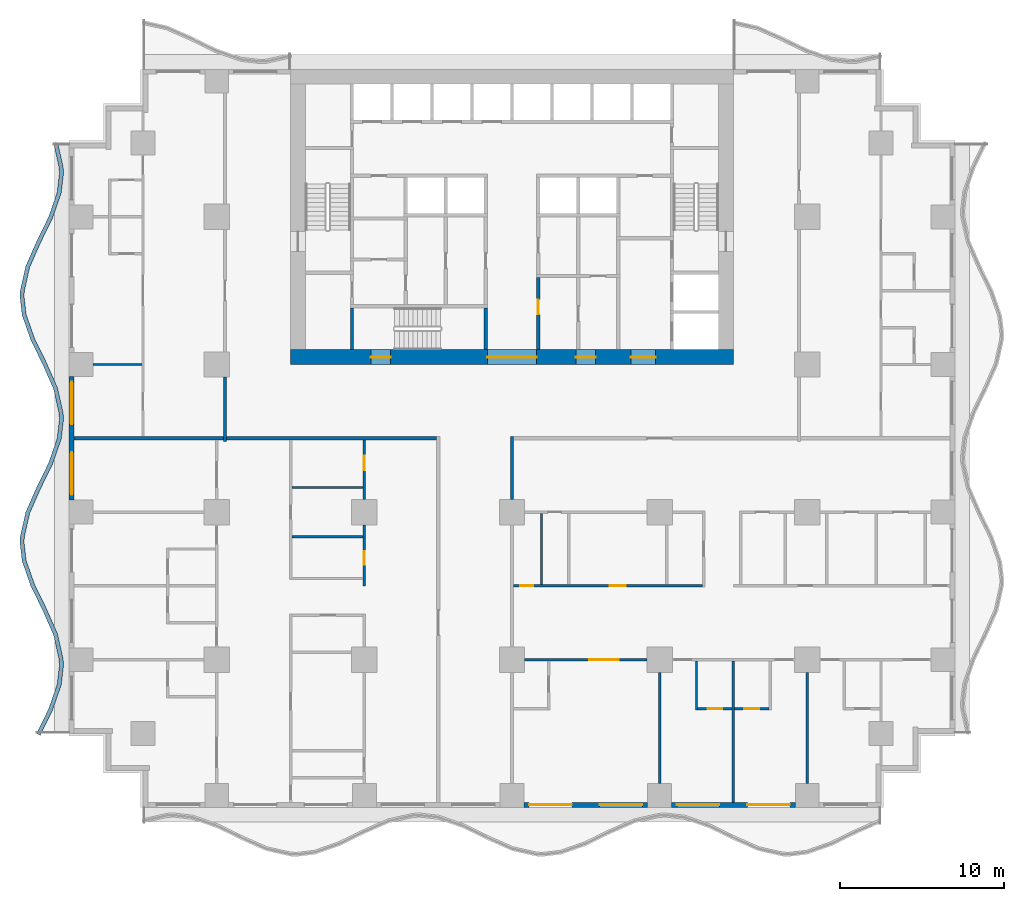
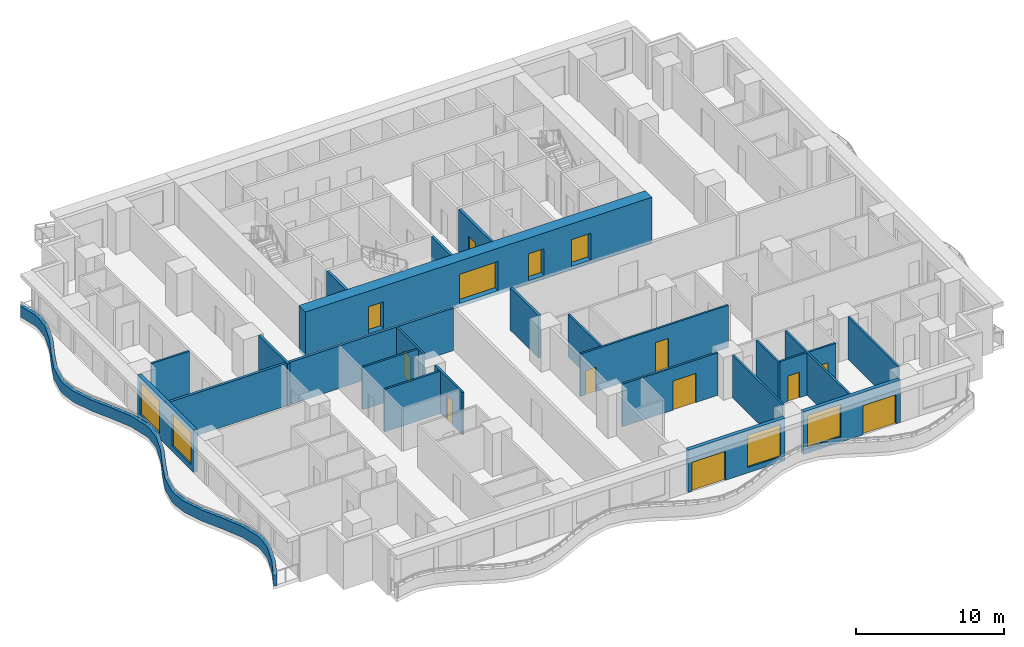
# One storey, part 3 of 14: 26 walls, 14 doors, 4 windows, 18 openings.
"""IFC4 building model written with IfcOpenShell, lengths in metres."""

from ifc_helpers import new_model, si_unit, direction, frame, frame_2d, origin, place, context, subcontext, project, spatial, polyline, rectangle, outline, extrude, material, layer, layer_set, type_object, element, fill, save


model = new_model("IFC4")

# Units and contexts
model_context = context("Model", 3, precision=1e-05, world=origin(), true_north=direction((0.0, 1.0)))
body_context = subcontext(model_context, "Body", "Model", "MODEL_VIEW")
ifc_project = project(units=[si_unit("LENGTHUNIT", "METRE"), si_unit("AREAUNIT", "SQUARE_METRE"), si_unit("VOLUMEUNIT", "CUBIC_METRE"), si_unit("PLANEANGLEUNIT", "RADIAN"), si_unit("MASSUNIT", "GRAM", prefix="KILO")], contexts=[model_context])

# Site, building, storey
site_placement = place(None, origin())
site = spatial("IfcSite", under=ifc_project, at=site_placement, CompositionType="ELEMENT")
building_placement = place(site_placement, origin())
building = spatial("IfcBuilding", under=site, at=building_placement, Name="Orbiselva Terraces", CompositionType="ELEMENT")
storey_placement = place(building_placement, frame((0.0, 0.0, 34.0)))
storey = spatial("IfcBuildingStorey", under=building, at=storey_placement, Name="L08", CompositionType="ELEMENT", Elevation=34.0)

# Wall, openings, doors
ifc_material_1 = material(Name="Concrete C80/95", Category="concrete")
ifc_layer_1 = layer(ifc_material_1, 0.9)
ifc_layer_set_1 = layer_set([ifc_layer_1], Name="Concrete C80/95")
wall_type_1 = type_object("IfcWallType", Name="CORE WALL 900", PredefinedType="SHEAR", material=ifc_layer_set_1)
wall_1_placement = place(storey_placement, frame((-13.5, 4.95, -0.3), z_axis=(0.0, 0.0, 1.0), x_axis=(1.0, 0.0, 0.0)))
wall_1 = element("IfcWall", 1, at=wall_1_placement, inside=storey, type_object=wall_type_1, Name="Core wall L08 south", PredefinedType="SHEAR", context=body_context, shape_type="SweptSolid", body=[
    extrude(rectangle(XDim=27.0, YDim=0.9, at=frame_2d((13.5, 0.0))), origin(), (0.0, 0.0, 1.0), 3.8),
])
opening_1_placement = place(wall_1_placement, frame((12.0, 0.0, 0.3)))
opening_1 = element("IfcOpeningElement", 2, at=opening_1_placement, cuts=wall_1, Name="Opening DL3000", PredefinedType="OPENING", context=body_context, shape_type="SweptSolid", body=[
    extrude(rectangle(XDim=3.0, YDim=2.4, at=frame_2d((1.5, 1.2))), frame((0.0, 0.46, 0.0), z_axis=(0.0, -1.0, 0.0), x_axis=(1.0, 0.0, 0.0)), (0.0, 0.0, 1.0), 0.92),
])
opening_2_placement = place(wall_1_placement, frame((4.9, 0.0, 0.3)))
opening_2 = element("IfcOpeningElement", 3, at=opening_2_placement, cuts=wall_1, Name="Opening DS1200", PredefinedType="OPENING", context=body_context, shape_type="SweptSolid", body=[
    extrude(rectangle(XDim=1.2, YDim=2.2, at=frame_2d((0.6, 1.1))), frame((0.0, 0.46, 0.0), z_axis=(0.0, -1.0, 0.0), x_axis=(1.0, 0.0, 0.0)), (0.0, 0.0, 1.0), 0.92),
])
opening_3_placement = place(wall_1_placement, frame((20.75, 0.0, 0.3)))
opening_3 = element("IfcOpeningElement", 4, at=opening_3_placement, cuts=wall_1, Name="Opening DF1500", PredefinedType="OPENING", context=body_context, shape_type="SweptSolid", body=[
    extrude(rectangle(XDim=1.5, YDim=2.2, at=frame_2d((0.75, 1.1))), frame((0.0, 0.46, 0.0), z_axis=(0.0, -1.0, 0.0), x_axis=(1.0, 0.0, 0.0)), (0.0, 0.0, 1.0), 0.92),
])
opening_4_placement = place(wall_1_placement, frame((17.4, 0.0, 0.3)))
opening_4 = element("IfcOpeningElement", 5, at=opening_4_placement, cuts=wall_1, Name="Opening DV1200", PredefinedType="OPENING", context=body_context, shape_type="SweptSolid", body=[
    extrude(rectangle(XDim=1.2, YDim=2.2, at=frame_2d((0.6, 1.1))), frame((0.0, 0.46, 0.0), z_axis=(0.0, -1.0, 0.0), x_axis=(1.0, 0.0, 0.0)), (0.0, 0.0, 1.0), 0.92),
])
ifc_material_2 = material(Name="Steel fire door", Category="steel")
door_type_1 = type_object("IfcDoorType", Name="FFL DOOR 1500", OperationType="DOUBLE_DOOR_SINGLE_SWING", PredefinedType="DOOR", material=ifc_material_2)
door_1_placement = place(opening_3_placement, frame((1.5, 0.0, 0.0), z_axis=(0.0, 0.0, 1.0), x_axis=(-1.0, 0.0, 0.0)))
door_1 = element("IfcDoor", 6, at=door_1_placement, inside=storey, type_object=door_type_1, Name="L08 FIRE-FIGHTING LOBBY door", OperationType="DOUBLE_DOOR_SINGLE_SWING", OverallHeight=2.2, OverallWidth=1.5, PredefinedType="DOOR", context=body_context, shape_type="SweptSolid", body=[
    extrude(rectangle(XDim=1.5, YDim=2.2, at=frame_2d((0.75, 1.1))), frame((0.0, 0.025, 0.0), z_axis=(0.0, -1.0, 0.0), x_axis=(1.0, 0.0, 0.0)), (0.0, 0.0, 1.0), 0.05),
])
fill(opening_3, door_1)
door_type_2 = type_object("IfcDoorType", Name="LOBBY DOOR 3000", OperationType="DOUBLE_DOOR_SINGLE_SWING", PredefinedType="DOOR", material=ifc_material_2)
door_2_placement = place(opening_1_placement, frame((3.0, 0.0, 0.0), z_axis=(0.0, 0.0, 1.0), x_axis=(-1.0, 0.0, 0.0)))
door_2 = element("IfcDoor", 7, at=door_2_placement, inside=storey, type_object=door_type_2, Name="L08 LIFT LOBBY door", OperationType="DOUBLE_DOOR_SINGLE_SWING", OverallHeight=2.4, OverallWidth=3.0, PredefinedType="DOOR", context=body_context, shape_type="SweptSolid", body=[
    extrude(rectangle(XDim=3.0, YDim=2.4, at=frame_2d((1.5, 1.2))), frame((0.0, 0.025, 0.0), z_axis=(0.0, -1.0, 0.0), x_axis=(1.0, 0.0, 0.0)), (0.0, 0.0, 1.0), 0.05),
])
fill(opening_1, door_2)
door_type_3 = type_object("IfcDoorType", Name="SERVICE DOOR 1200", OperationType="NOTDEFINED", PredefinedType="DOOR", material=ifc_material_2)
door_3_placement = place(opening_4_placement, frame((1.2, 0.0, 0.0), z_axis=(0.0, 0.0, 1.0), x_axis=(-1.0, 0.0, 0.0)))
door_3 = element("IfcDoor", 8, at=door_3_placement, inside=storey, type_object=door_type_3, Name="L08 SPARE PARTS STORE door", OperationType="SINGLE_SWING_RIGHT", OverallHeight=2.2, OverallWidth=1.2, PredefinedType="DOOR", context=body_context, shape_type="SweptSolid", body=[
    extrude(rectangle(XDim=1.2, YDim=2.2, at=frame_2d((0.6, 1.1))), frame((0.0, 0.025, 0.0), z_axis=(0.0, -1.0, 0.0), x_axis=(1.0, 0.0, 0.0)), (0.0, 0.0, 1.0), 0.05),
])
fill(opening_4, door_3)
door_type_4 = type_object("IfcDoorType", Name="STAIR DOOR 1200", OperationType="NOTDEFINED", PredefinedType="DOOR", material=ifc_material_2)
door_4_placement = place(opening_2_placement, frame((1.2, 0.0, 0.0), z_axis=(0.0, 0.0, 1.0), x_axis=(-1.0, 0.0, 0.0)))
door_4 = element("IfcDoor", 9, at=door_4_placement, inside=storey, type_object=door_type_4, Name="L08 EXIT STAIR S3 door", OperationType="SINGLE_SWING_LEFT", OverallHeight=2.2, OverallWidth=1.2, PredefinedType="DOOR", context=body_context, shape_type="SweptSolid", body=[
    extrude(rectangle(XDim=1.2, YDim=2.2, at=frame_2d((0.6, 1.1))), frame((0.0, 0.025, 0.0), z_axis=(0.0, -1.0, 0.0), x_axis=(1.0, 0.0, 0.0)), (0.0, 0.0, 1.0), 0.05),
])
fill(opening_2, door_4)

# Walls
ifc_material_3 = material(Name="Concrete C60/75", Category="concrete")
ifc_layer_2 = layer(ifc_material_3, 0.2)
ifc_layer_set_2 = layer_set([ifc_layer_2], Name="Concrete C60/75")
wall_type_2 = type_object("IfcWallType", Name="CORE-WALL-SHEAR-200", PredefinedType="SHEAR", material=ifc_layer_set_2)
for number, where, z_axis, x_axis, name in (
    (10, (-9.75, 5.4, 0.0), (0.0, 0.0, 1.0), (0.0, 1.0, 0.0), "L08 core wall 03"),
    (11, (-1.6, 5.4, 0.0), (0.0, 0.0, 1.0), (0.0, 1.0, 0.0), "L08 core wall 25"),
):
    element("IfcWall", number, at=place(storey_placement, frame(where, z_axis=z_axis, x_axis=x_axis)), inside=storey, type_object=wall_type_2, Name=name, PredefinedType="SHEAR", context=body_context, shape_type="SweptSolid", body=[
        extrude(rectangle(XDim=2.55, YDim=0.2, at=frame_2d((1.275, 0.0))), origin(), (0.0, 0.0, 1.0), 3.5),
    ])

# Wall, opening, door
wall_2_placement = place(storey_placement, frame((1.6, 9.8, 0.0), z_axis=(0.0, 0.0, 1.0), x_axis=(0.0, -1.0, 0.0)))
wall_2 = element("IfcWall", 12, at=wall_2_placement, inside=storey, type_object=wall_type_2, Name="L08 core wall 29", PredefinedType="SHEAR", context=body_context, shape_type="SweptSolid", body=[
    extrude(rectangle(XDim=4.4, YDim=0.2, at=frame_2d((2.2, 0.0))), origin(), (0.0, 0.0, 1.0), 3.5),
])
opening_5_placement = place(wall_2_placement, frame((1.35, 0.0, 0.0)))
opening_5 = element("IfcOpeningElement", 13, at=opening_5_placement, cuts=wall_2, Name="Opening DR900", PredefinedType="OPENING", context=body_context, shape_type="SweptSolid", body=[
    extrude(rectangle(XDim=0.9, YDim=2.1, at=frame_2d((0.45, 1.05))), frame((0.0, 0.11, 0.0), z_axis=(0.0, -1.0, 0.0), x_axis=(1.0, 0.0, 0.0)), (0.0, 0.0, 1.0), 0.22),
])
door_type_5 = type_object("IfcDoorType", Name="ROOM DOOR 900", OperationType="NOTDEFINED", PredefinedType="DOOR", material=ifc_material_2)
door_5_placement = place(opening_5_placement, origin())
door_5 = element("IfcDoor", 14, at=door_5_placement, inside=storey, type_object=door_type_5, Name="L08 ELECTRICAL ROOM door", OperationType="SINGLE_SWING_LEFT", OverallHeight=2.1, OverallWidth=0.9, PredefinedType="DOOR", context=body_context, shape_type="SweptSolid", body=[
    extrude(rectangle(XDim=0.9, YDim=2.1, at=frame_2d((0.45, 1.05))), frame((0.0, 0.025, 0.0), z_axis=(0.0, -1.0, 0.0), x_axis=(1.0, 0.0, 0.0)), (0.0, 0.0, 1.0), 0.05),
])
fill(opening_5, door_5)

# Wall
ifc_material_4 = material(Name="Concrete C40/50", Category="concrete")
ifc_layer_3 = layer(ifc_material_4, 0.25)
ifc_layer_set_3 = layer_set([ifc_layer_3], Name="Concrete C40/50")
wall_type_3 = type_object("IfcWallType", Name="ENV-PLANTER-250x900", PredefinedType="USERDEFINED", material=ifc_layer_set_3)
wall_3_placement = place(storey_placement, origin())
element("IfcWall", 15, at=wall_3_placement, inside=storey, type_object=wall_type_3, Name="Balcony planter L08 W", ObjectType="PLANTER", PredefinedType="USERDEFINED", context=body_context, shape_type="SweptSolid", body=[
    extrude(outline(polyline([(-27.951472, 18.0), (-27.614774, 16.5), (-27.6, 16.125), (-27.730792, 15.0), (-28.255211, 13.5), (-28.987721, 12.0), (-29.648528, 10.5), (-29.985226, 9.0), (-30.0, 8.625), (-29.869208, 7.5), (-29.344789, 6.0), (-28.612279, 4.5), (-27.951472, 3.0), (-27.614774, 1.5), (-27.6, 1.125), (-27.730792, 0.0), (-28.255211, -1.5), (-28.987721, -3.0), (-29.648528, -4.5), (-29.985226, -6.0), (-30.0, -6.375), (-29.869208, -7.5), (-29.344789, -9.0), (-28.612279, -10.5), (-27.951472, -12.0), (-27.614774, -13.5), (-27.6, -13.875), (-27.730792, -15.0), (-28.255211, -16.5), (-28.987721, -18.0), (-28.763076, -18.109703), (-28.024089, -16.59644), (-27.485662, -15.056371), (-27.349429, -13.884572), (-27.365863, -13.467435), (-27.712874, -11.921492), (-28.385477, -10.394714), (-29.113667, -8.90356), (-29.624078, -7.443629), (-29.749429, -6.365428), (-29.736315, -6.032565), (-29.40993, -4.578508), (-28.760919, -3.105286), (-28.024089, -1.59644), (-27.485662, -0.056371), (-27.349429, 1.115428), (-27.365863, 1.532565), (-27.712874, 3.078508), (-28.385477, 4.605286), (-29.113667, 6.09644), (-29.624078, 7.556371), (-29.749429, 8.634572), (-29.736315, 8.967435), (-29.40993, 10.421492), (-28.760919, 11.894714), (-28.024089, 13.40356), (-27.485662, 14.943629), (-27.349429, 16.115428), (-27.365863, 16.532565), (-27.707542, 18.054754), (-27.951472, 18.0)])), origin(), (0.0, 0.0, 1.0), 0.9),
])

# Wall, openings, door, window
ifc_material_5 = material(Name="Terracotta cladding on masonry backing", Category="masonry")
ifc_layer_4 = layer(ifc_material_5, 0.3)
ifc_layer_set_4 = layer_set([ifc_layer_4], Name="Terracotta cladding on masonry backing")
wall_type_4 = type_object("IfcWallType", Name="ENV-WALL-TERRACOTTA-300", PredefinedType="SOLIDWALL", material=ifc_layer_set_4)
wall_4_placement = place(storey_placement, frame((8.275, -22.35, 0.0), z_axis=(0.0, 0.0, 1.0), x_axis=(-1.0, 0.0, 0.0)))
wall_4 = element("IfcWall", 16, at=wall_4_placement, inside=storey, type_object=wall_type_4, Name="Facade wall L08 S", PredefinedType="SOLIDWALL", context=body_context, shape_type="SweptSolid", body=[
    extrude(rectangle(XDim=7.55, YDim=0.3, at=frame_2d((3.775, 0.0))), origin(), (0.0, 0.0, 1.0), 3.5),
])
opening_6_placement = place(wall_4_placement, frame((4.625, 0.0, 0.0)))
opening_6 = element("IfcOpeningElement", 17, at=opening_6_placement, cuts=wall_4, Name="Opening Z1-B-E13", PredefinedType="OPENING", context=body_context, shape_type="SweptSolid", body=[
    extrude(rectangle(XDim=2.6, YDim=2.4, at=frame_2d((1.3, 1.2))), frame((0.0, 0.16, 0.0), z_axis=(0.0, -1.0, 0.0), x_axis=(1.0, 0.0, 0.0)), (0.0, 0.0, 1.0), 0.32),
])
opening_7_placement = place(wall_4_placement, frame((0.325, 0.0, 0.45)))
opening_7 = element("IfcOpeningElement", 18, at=opening_7_placement, cuts=wall_4, Name="Opening WN1", PredefinedType="OPENING", context=body_context, shape_type="SweptSolid", body=[
    extrude(rectangle(XDim=2.6, YDim=2.65, at=frame_2d((1.3, 1.325))), frame((0.0, 0.16, 0.0), z_axis=(0.0, -1.0, 0.0), x_axis=(1.0, 0.0, 0.0)), (0.0, 0.0, 1.0), 0.32),
])
ifc_material_6 = material(Name="Clear low-e glazing in aluminium frame", Category="aluminium")
door_type_6 = type_object("IfcDoorType", Name="BALCONY DOOR 2600 X 2400", OperationType="DOUBLE_DOOR_SLIDING", PredefinedType="DOOR", material=ifc_material_6)
door_6_placement = place(opening_6_placement, origin())
door_6 = element("IfcDoor", 19, at=door_6_placement, inside=storey, type_object=door_type_6, Name="Z1-B-E13", OperationType="SINGLE_SWING_LEFT", OverallHeight=2.4, OverallWidth=2.6, PredefinedType="DOOR", context=body_context, shape_type="SweptSolid", body=[
    extrude(rectangle(XDim=2.6, YDim=2.4, at=frame_2d((1.3, 1.2))), frame((0.0, 0.025, 0.0), z_axis=(0.0, -1.0, 0.0), x_axis=(1.0, 0.0, 0.0)), (0.0, 0.0, 1.0), 0.05),
])
fill(opening_6, door_6)
window_type = type_object("IfcWindowType", Name="WINDOW 2600 X 2650 S450", PartitioningType="TRIPLE_PANEL_VERTICAL", PredefinedType="WINDOW", material=ifc_material_6)
window_1_placement = place(opening_7_placement, origin())
window_1 = element("IfcWindow", 20, at=window_1_placement, inside=storey, type_object=window_type, Name="Window L08 S", OverallHeight=2.65, OverallWidth=2.6, PartitioningType="SINGLE_PANEL", PredefinedType="WINDOW", context=body_context, shape_type="SweptSolid", body=[
    extrude(rectangle(XDim=2.6, YDim=2.65, at=frame_2d((1.3, 1.325))), frame((0.0, 0.03, 0.0), z_axis=(0.0, -1.0, 0.0), x_axis=(1.0, 0.0, 0.0)), (0.0, 0.0, 1.0), 0.06),
])
fill(opening_7, window_1)

wall_5_placement = place(storey_placement, frame((17.275, -22.35, 0.0), z_axis=(0.0, 0.0, 1.0), x_axis=(-1.0, 0.0, 0.0)))
wall_5 = element("IfcWall", 21, at=wall_5_placement, inside=storey, type_object=wall_type_4, Name="Facade wall L08 S", PredefinedType="SOLIDWALL", context=body_context, shape_type="SweptSolid", body=[
    extrude(rectangle(XDim=7.55, YDim=0.3, at=frame_2d((3.775, 0.0))), origin(), (0.0, 0.0, 1.0), 3.5),
])
opening_8_placement = place(wall_5_placement, frame((4.625, 0.0, 0.45)))
opening_8 = element("IfcOpeningElement", 22, at=opening_8_placement, cuts=wall_5, Name="Opening WN1", PredefinedType="OPENING", context=body_context, shape_type="SweptSolid", body=[
    extrude(rectangle(XDim=2.6, YDim=2.65, at=frame_2d((1.3, 1.325))), frame((0.0, 0.16, 0.0), z_axis=(0.0, -1.0, 0.0), x_axis=(1.0, 0.0, 0.0)), (0.0, 0.0, 1.0), 0.32),
])
opening_9_placement = place(wall_5_placement, frame((0.325, 0.0, 0.0)))
opening_9 = element("IfcOpeningElement", 23, at=opening_9_placement, cuts=wall_5, Name="Opening Z1-B-E19", PredefinedType="OPENING", context=body_context, shape_type="SweptSolid", body=[
    extrude(rectangle(XDim=2.6, YDim=2.4, at=frame_2d((1.3, 1.2))), frame((0.0, 0.16, 0.0), z_axis=(0.0, -1.0, 0.0), x_axis=(1.0, 0.0, 0.0)), (0.0, 0.0, 1.0), 0.32),
])
door_7_placement = place(opening_9_placement, origin())
door_7 = element("IfcDoor", 24, at=door_7_placement, inside=storey, type_object=door_type_6, Name="Z1-B-E19", OperationType="SINGLE_SWING_LEFT", OverallHeight=2.4, OverallWidth=2.6, PredefinedType="DOOR", context=body_context, shape_type="SweptSolid", body=[
    extrude(rectangle(XDim=2.6, YDim=2.4, at=frame_2d((1.3, 1.2))), frame((0.0, 0.025, 0.0), z_axis=(0.0, -1.0, 0.0), x_axis=(1.0, 0.0, 0.0)), (0.0, 0.0, 1.0), 0.05),
])
fill(opening_9, door_7)
window_2_placement = place(opening_8_placement, origin())
window_2 = element("IfcWindow", 25, at=window_2_placement, inside=storey, type_object=window_type, Name="Window L08 S", OverallHeight=2.65, OverallWidth=2.6, PartitioningType="SINGLE_PANEL", PredefinedType="WINDOW", context=body_context, shape_type="SweptSolid", body=[
    extrude(rectangle(XDim=2.6, YDim=2.65, at=frame_2d((1.3, 1.325))), frame((0.0, 0.03, 0.0), z_axis=(0.0, -1.0, 0.0), x_axis=(1.0, 0.0, 0.0)), (0.0, 0.0, 1.0), 0.06),
])
fill(opening_8, window_2)

# Wall, openings, windows
wall_6_placement = place(storey_placement, frame((-26.85, -3.775, 0.0), z_axis=(0.0, 0.0, 1.0), x_axis=(0.0, 1.0, 0.0)))
wall_6 = element("IfcWall", 26, at=wall_6_placement, inside=storey, type_object=wall_type_4, Name="Facade wall L08 W", PredefinedType="SOLIDWALL", context=body_context, shape_type="SweptSolid", body=[
    extrude(rectangle(XDim=7.55, YDim=0.3, at=frame_2d((3.775, 0.0))), origin(), (0.0, 0.0, 1.0), 3.5),
])
opening_10_placement = place(wall_6_placement, frame((4.625, 0.0, 0.45)))
opening_10 = element("IfcOpeningElement", 27, at=opening_10_placement, cuts=wall_6, Name="Opening WN1", PredefinedType="OPENING", context=body_context, shape_type="SweptSolid", body=[
    extrude(rectangle(XDim=2.6, YDim=2.65, at=frame_2d((1.3, 1.325))), frame((0.0, 0.16, 0.0), z_axis=(0.0, -1.0, 0.0), x_axis=(1.0, 0.0, 0.0)), (0.0, 0.0, 1.0), 0.32),
])
opening_11_placement = place(wall_6_placement, frame((0.325, 0.0, 0.45)))
opening_11 = element("IfcOpeningElement", 28, at=opening_11_placement, cuts=wall_6, Name="Opening WN1", PredefinedType="OPENING", context=body_context, shape_type="SweptSolid", body=[
    extrude(rectangle(XDim=2.6, YDim=2.65, at=frame_2d((1.3, 1.325))), frame((0.0, 0.16, 0.0), z_axis=(0.0, -1.0, 0.0), x_axis=(1.0, 0.0, 0.0)), (0.0, 0.0, 1.0), 0.32),
])
window_3_placement = place(opening_10_placement, origin())
window_3 = element("IfcWindow", 29, at=window_3_placement, inside=storey, type_object=window_type, Name="Window L08 W", OverallHeight=2.65, OverallWidth=2.6, PartitioningType="SINGLE_PANEL", PredefinedType="WINDOW", context=body_context, shape_type="SweptSolid", body=[
    extrude(rectangle(XDim=2.6, YDim=2.65, at=frame_2d((1.3, 1.325))), frame((0.0, 0.03, 0.0), z_axis=(0.0, -1.0, 0.0), x_axis=(1.0, 0.0, 0.0)), (0.0, 0.0, 1.0), 0.06),
])
fill(opening_10, window_3)
window_4_placement = place(opening_11_placement, origin())
window_4 = element("IfcWindow", 30, at=window_4_placement, inside=storey, type_object=window_type, Name="Window L08 W", OverallHeight=2.65, OverallWidth=2.6, PartitioningType="SINGLE_PANEL", PredefinedType="WINDOW", context=body_context, shape_type="SweptSolid", body=[
    extrude(rectangle(XDim=2.6, YDim=2.65, at=frame_2d((1.3, 1.325))), frame((0.0, 0.03, 0.0), z_axis=(0.0, -1.0, 0.0), x_axis=(1.0, 0.0, 0.0)), (0.0, 0.0, 1.0), 0.06),
])
fill(opening_11, window_4)

# Walls
ifc_material_7 = material(Name="Plasterboard on steel stud partition", Category="steel")
ifc_layer_5 = layer(ifc_material_7, 0.2)
ifc_layer_set_5 = layer_set([ifc_layer_5], Name="Plasterboard on steel stud partition")
wall_type_5 = type_object("IfcWallType", Name="UNIT-ENTRANCE-WALL-200", PredefinedType="PARTITIONING", material=ifc_layer_set_5)
wall_7_placement = place(storey_placement, frame((-17.4, 0.0, 0.0), z_axis=(0.0, 0.0, 1.0), x_axis=(1.0, 0.0, 0.0)))
element("IfcWall", 31, at=wall_7_placement, inside=storey, type_object=wall_type_5, Name="PARTITION L08-028", PredefinedType="PARTITIONING", context=body_context, shape_type="SweptSolid", body=[
    extrude(rectangle(XDim=12.8, YDim=0.2, at=frame_2d((6.4, 0.0))), origin(), (0.0, 0.0, 1.0), 3.5),
])
wall_8_placement = place(storey_placement, frame((-17.5, -0.2, 0.0), z_axis=(0.0, 0.0, 1.0), x_axis=(0.0, 1.0, 0.0)))
element("IfcWall", 32, at=wall_8_placement, inside=storey, type_object=wall_type_5, Name="PARTITION L08-049", PredefinedType="PARTITIONING", context=body_context, shape_type="SweptSolid", body=[
    extrude(rectangle(XDim=3.925, YDim=0.2, at=frame_2d((1.9625, 0.0))), origin(), (0.0, 0.0, 1.0), 3.5),
])
wall_9_placement = place(storey_placement, frame((0.0, -3.725, 0.0), z_axis=(0.0, 0.0, 1.0), x_axis=(0.0, 1.0, 0.0)))
element("IfcWall", 33, at=wall_9_placement, inside=storey, type_object=wall_type_5, Name="PARTITION L08-061", PredefinedType="PARTITIONING", context=body_context, shape_type="SweptSolid", body=[
    extrude(rectangle(XDim=3.825, YDim=0.2, at=frame_2d((1.9125, 0.0))), origin(), (0.0, 0.0, 1.0), 3.5),
])

# Wall, opening, door
ifc_layer_6 = layer(ifc_material_7, 0.15)
ifc_layer_set_6 = layer_set([ifc_layer_6], Name="Plasterboard on steel stud partition")
wall_type_6 = type_object("IfcWallType", Name="UNIT-PARTITION-150", PredefinedType="PARTITIONING", material=ifc_layer_set_6)
wall_10_placement = place(storey_placement, frame((11.325, -16.5, 0.0), z_axis=(0.0, 0.0, 1.0), x_axis=(1.0, 0.0, 0.0)))
wall_10 = element("IfcWall", 34, at=wall_10_placement, inside=storey, type_object=wall_type_6, Name="PARTITION L08-004", PredefinedType="PARTITIONING", context=body_context, shape_type="SweptSolid", body=[
    extrude(rectangle(XDim=2.1, YDim=0.15, at=frame_2d((1.05, 0.0))), origin(), (0.0, 0.0, 1.0), 3.5),
])
opening_12_placement = place(wall_10_placement, frame((0.6, 0.0, 0.0)))
opening_12 = element("IfcOpeningElement", 35, at=opening_12_placement, cuts=wall_10, Name="Opening Z1-B-41", PredefinedType="OPENING", context=body_context, shape_type="SweptSolid", body=[
    extrude(rectangle(XDim=0.9, YDim=2.1, at=frame_2d((0.45, 1.05))), frame((0.0, 0.085, 0.0), z_axis=(0.0, -1.0, 0.0), x_axis=(1.0, 0.0, 0.0)), (0.0, 0.0, 1.0), 0.17),
])
ifc_material_8 = material(Name="Painted timber door leaf", Category="wood")
door_type_7 = type_object("IfcDoorType", Name="BATH DOOR 900", OperationType="NOTDEFINED", PredefinedType="DOOR", material=ifc_material_8)
door_8_placement = place(opening_12_placement, origin())
door_8 = element("IfcDoor", 36, at=door_8_placement, inside=storey, type_object=door_type_7, Name="Z1-B-41", OperationType="SINGLE_SWING_LEFT", OverallHeight=2.1, OverallWidth=0.9, PredefinedType="DOOR", context=body_context, shape_type="SweptSolid", body=[
    extrude(rectangle(XDim=0.9, YDim=2.1, at=frame_2d((0.45, 1.05))), frame((0.0, 0.025, 0.0), z_axis=(0.0, -1.0, 0.0), x_axis=(1.0, 0.0, 0.0)), (0.0, 0.0, 1.0), 0.05),
])
fill(opening_12, door_8)

wall_11_placement = place(storey_placement, frame((13.575, -16.5, 0.0), z_axis=(0.0, 0.0, 1.0), x_axis=(1.0, 0.0, 0.0)))
wall_11 = element("IfcWall", 37, at=wall_11_placement, inside=storey, type_object=wall_type_6, Name="PARTITION L08-005", PredefinedType="PARTITIONING", context=body_context, shape_type="SweptSolid", body=[
    extrude(rectangle(XDim=2.1, YDim=0.15, at=frame_2d((1.05, 0.0))), origin(), (0.0, 0.0, 1.0), 3.5),
])
opening_13_placement = place(wall_11_placement, frame((0.6, 0.0, 0.0)))
opening_13 = element("IfcOpeningElement", 38, at=opening_13_placement, cuts=wall_11, Name="Opening Z1-B-43", PredefinedType="OPENING", context=body_context, shape_type="SweptSolid", body=[
    extrude(rectangle(XDim=0.9, YDim=2.1, at=frame_2d((0.45, 1.05))), frame((0.0, 0.085, 0.0), z_axis=(0.0, -1.0, 0.0), x_axis=(1.0, 0.0, 0.0)), (0.0, 0.0, 1.0), 0.17),
])
door_9_placement = place(opening_13_placement, origin())
door_9 = element("IfcDoor", 39, at=door_9_placement, inside=storey, type_object=door_type_7, Name="Z1-B-43", OperationType="SINGLE_SWING_LEFT", OverallHeight=2.1, OverallWidth=0.9, PredefinedType="DOOR", context=body_context, shape_type="SweptSolid", body=[
    extrude(rectangle(XDim=0.9, YDim=2.1, at=frame_2d((0.45, 1.05))), frame((0.0, 0.025, 0.0), z_axis=(0.0, -1.0, 0.0), x_axis=(1.0, 0.0, 0.0)), (0.0, 0.0, 1.0), 0.05),
])
fill(opening_13, door_9)

wall_12_placement = place(storey_placement, frame((8.225, -13.5, 0.0), z_axis=(0.0, 0.0, 1.0), x_axis=(-1.0, 0.0, 0.0)))
wall_12 = element("IfcWall", 40, at=wall_12_placement, inside=storey, type_object=wall_type_6, Name="PARTITION L08-009", PredefinedType="PARTITIONING", context=body_context, shape_type="SweptSolid", body=[
    extrude(rectangle(XDim=7.45, YDim=0.15, at=frame_2d((3.725, 0.0))), origin(), (0.0, 0.0, 1.0), 3.5),
])
opening_14_placement = place(wall_12_placement, frame((1.725, 0.0, 0.0)))
opening_14 = element("IfcOpeningElement", 41, at=opening_14_placement, cuts=wall_12, Name="Opening Z1-B-38", PredefinedType="OPENING", context=body_context, shape_type="SweptSolid", body=[
    extrude(rectangle(XDim=1.8, YDim=2.4, at=frame_2d((0.9, 1.2))), frame((0.0, 0.085, 0.0), z_axis=(0.0, -1.0, 0.0), x_axis=(1.0, 0.0, 0.0)), (0.0, 0.0, 1.0), 0.17),
])
door_type_8 = type_object("IfcDoorType", Name="DOUBLE DOOR 1800", OperationType="NOTDEFINED", PredefinedType="DOOR", material=ifc_material_8)
door_10_placement = place(opening_14_placement, origin())
door_10 = element("IfcDoor", 42, at=door_10_placement, inside=storey, type_object=door_type_8, Name="Z1-B-38", OperationType="DOUBLE_DOOR_SINGLE_SWING", OverallHeight=2.4, OverallWidth=1.8, PredefinedType="DOOR", context=body_context, shape_type="SweptSolid", body=[
    extrude(rectangle(XDim=1.8, YDim=2.4, at=frame_2d((0.9, 1.2))), frame((0.0, 0.025, 0.0), z_axis=(0.0, -1.0, 0.0), x_axis=(1.0, 0.0, 0.0)), (0.0, 0.0, 1.0), 0.05),
])
fill(opening_14, door_10)

# Wall, openings, doors
wall_13_placement = place(storey_placement, frame((0.1, -9.0, 0.0), z_axis=(0.0, 0.0, 1.0), x_axis=(1.0, 0.0, 0.0)))
wall_13 = element("IfcWall", 43, at=wall_13_placement, inside=storey, type_object=wall_type_6, Name="PARTITION L08-017", PredefinedType="PARTITIONING", context=body_context, shape_type="SweptSolid", body=[
    extrude(rectangle(XDim=11.525, YDim=0.15, at=frame_2d((5.7625, 0.0))), origin(), (0.0, 0.0, 1.0), 3.5),
])
opening_15_placement = place(wall_13_placement, frame((0.4, 0.0, 0.0)))
opening_15 = element("IfcOpeningElement", 44, at=opening_15_placement, cuts=wall_13, Name="Opening Z1-B-29", PredefinedType="OPENING", context=body_context, shape_type="SweptSolid", body=[
    extrude(rectangle(XDim=0.8, YDim=2.0, at=frame_2d((0.4, 1.0))), frame((0.0, 0.085, 0.0), z_axis=(0.0, -1.0, 0.0), x_axis=(1.0, 0.0, 0.0)), (0.0, 0.0, 1.0), 0.17),
])
opening_16_placement = place(wall_13_placement, frame((5.85, 0.0, 0.0)))
opening_16 = element("IfcOpeningElement", 45, at=opening_16_placement, cuts=wall_13, Name="Opening Z1-B-31", PredefinedType="OPENING", context=body_context, shape_type="SweptSolid", body=[
    extrude(rectangle(XDim=1.0, YDim=2.4, at=frame_2d((0.5, 1.2))), frame((0.0, 0.085, 0.0), z_axis=(0.0, -1.0, 0.0), x_axis=(1.0, 0.0, 0.0)), (0.0, 0.0, 1.0), 0.17),
])
door_type_9 = type_object("IfcDoorType", Name="ROOM DOOR 1000", OperationType="NOTDEFINED", PredefinedType="DOOR", material=ifc_material_8)
door_11_placement = place(opening_16_placement, origin())
door_11 = element("IfcDoor", 46, at=door_11_placement, inside=storey, type_object=door_type_9, Name="Z1-B-31", OperationType="SINGLE_SWING_RIGHT", OverallHeight=2.4, OverallWidth=1.0, PredefinedType="DOOR", context=body_context, shape_type="SweptSolid", body=[
    extrude(rectangle(XDim=1.0, YDim=2.4, at=frame_2d((0.5, 1.2))), frame((0.0, 0.025, 0.0), z_axis=(0.0, -1.0, 0.0), x_axis=(1.0, 0.0, 0.0)), (0.0, 0.0, 1.0), 0.05),
])
fill(opening_16, door_11)
door_type_10 = type_object("IfcDoorType", Name="STORE DOOR 800", OperationType="NOTDEFINED", PredefinedType="DOOR", material=ifc_material_8)
door_12_placement = place(opening_15_placement, origin())
door_12 = element("IfcDoor", 47, at=door_12_placement, inside=storey, type_object=door_type_10, Name="Z1-B-29", OperationType="SINGLE_SWING_LEFT", OverallHeight=2.0, OverallWidth=0.8, PredefinedType="DOOR", context=body_context, shape_type="SweptSolid", body=[
    extrude(rectangle(XDim=0.8, YDim=2.0, at=frame_2d((0.4, 1.0))), frame((0.0, 0.025, 0.0), z_axis=(0.0, -1.0, 0.0), x_axis=(1.0, 0.0, 0.0)), (0.0, 0.0, 1.0), 0.05),
])
fill(opening_15, door_12)

# Walls
for number, where, z_axis, x_axis, name in (
    (48, (-13.425, -6.0, 0.0), (0.0, 0.0, 1.0), (1.0, 0.0, 0.0), "PARTITION L08-021"),
    (49, (-13.425, -3.0, 0.0), (0.0, 0.0, 1.0), (1.0, 0.0, 0.0), "PARTITION L08-027"),
):
    element("IfcWall", number, at=place(storey_placement, frame(where, z_axis=z_axis, x_axis=x_axis)), inside=storey, type_object=wall_type_6, Name=name, PredefinedType="PARTITIONING", context=body_context, shape_type="SweptSolid", body=[
        extrude(rectangle(XDim=4.35, YDim=0.15, at=frame_2d((2.175, 0.0))), origin(), (0.0, 0.0, 1.0), 3.5),
    ])
wall_14_placement = place(storey_placement, frame((-25.55, 4.5, 0.0), z_axis=(0.0, 0.0, 1.0), x_axis=(1.0, 0.0, 0.0)))
element("IfcWall", 50, at=wall_14_placement, inside=storey, type_object=wall_type_6, Name="PARTITION L08-032", PredefinedType="PARTITIONING", context=body_context, shape_type="SweptSolid", body=[
    extrude(rectangle(XDim=2.975, YDim=0.15, at=frame_2d((1.4875, 0.0))), origin(), (0.0, 0.0, 1.0), 3.5),
])

# Wall, opening, door
wall_15_placement = place(storey_placement, frame((-9.0, -9.0, 0.0), z_axis=(0.0, 0.0, 1.0), x_axis=(0.0, 1.0, 0.0)))
wall_15 = element("IfcWall", 51, at=wall_15_placement, inside=storey, type_object=wall_type_6, Name="PARTITION L08-056", PredefinedType="PARTITIONING", context=body_context, shape_type="SweptSolid", body=[
    extrude(rectangle(XDim=3.725, YDim=0.15, at=frame_2d((1.8625, 0.0))), origin(), (0.0, 0.0, 1.0), 3.5),
])
opening_17_placement = place(wall_15_placement, frame((1.3, 0.0, 0.0)))
opening_17 = element("IfcOpeningElement", 52, at=opening_17_placement, cuts=wall_15, Name="Opening Z1-B-18", PredefinedType="OPENING", context=body_context, shape_type="SweptSolid", body=[
    extrude(rectangle(XDim=0.8, YDim=2.0, at=frame_2d((0.4, 1.0))), frame((0.0, 0.085, 0.0), z_axis=(0.0, -1.0, 0.0), x_axis=(1.0, 0.0, 0.0)), (0.0, 0.0, 1.0), 0.17),
])
door_13_placement = place(opening_17_placement, origin())
door_13 = element("IfcDoor", 53, at=door_13_placement, inside=storey, type_object=door_type_10, Name="Z1-B-18", OperationType="SINGLE_SWING_LEFT", OverallHeight=2.0, OverallWidth=0.8, PredefinedType="DOOR", context=body_context, shape_type="SweptSolid", body=[
    extrude(rectangle(XDim=0.8, YDim=2.0, at=frame_2d((0.4, 1.0))), frame((0.0, 0.025, 0.0), z_axis=(0.0, -1.0, 0.0), x_axis=(1.0, 0.0, 0.0)), (0.0, 0.0, 1.0), 0.05),
])
fill(opening_17, door_13)

wall_16_placement = place(storey_placement, frame((-9.0, -3.725, 0.0), z_axis=(0.0, 0.0, 1.0), x_axis=(0.0, 1.0, 0.0)))
wall_16 = element("IfcWall", 54, at=wall_16_placement, inside=storey, type_object=wall_type_6, Name="PARTITION L08-057", PredefinedType="PARTITIONING", context=body_context, shape_type="SweptSolid", body=[
    extrude(rectangle(XDim=3.625, YDim=0.15, at=frame_2d((1.8125, 0.0))), origin(), (0.0, 0.0, 1.0), 3.5),
])
opening_18_placement = place(wall_16_placement, frame((1.775, 0.0, 0.0)))
opening_18 = element("IfcOpeningElement", 55, at=opening_18_placement, cuts=wall_16, Name="Opening Z1-B-20", PredefinedType="OPENING", context=body_context, shape_type="SweptSolid", body=[
    extrude(rectangle(XDim=0.9, YDim=2.1, at=frame_2d((0.45, 1.05))), frame((0.0, 0.085, 0.0), z_axis=(0.0, -1.0, 0.0), x_axis=(1.0, 0.0, 0.0)), (0.0, 0.0, 1.0), 0.17),
])
door_type_11 = type_object("IfcDoorType", Name="SERVICE DOOR 900", OperationType="NOTDEFINED", PredefinedType="DOOR", material=ifc_material_8)
door_14_placement = place(opening_18_placement, origin())
door_14 = element("IfcDoor", 56, at=door_14_placement, inside=storey, type_object=door_type_11, Name="Z1-B-20", OperationType="SINGLE_SWING_RIGHT", OverallHeight=2.1, OverallWidth=0.9, PredefinedType="DOOR", context=body_context, shape_type="SweptSolid", body=[
    extrude(rectangle(XDim=0.9, YDim=2.1, at=frame_2d((0.45, 1.05))), frame((0.0, 0.025, 0.0), z_axis=(0.0, -1.0, 0.0), x_axis=(1.0, 0.0, 0.0)), (0.0, 0.0, 1.0), 0.05),
])
fill(opening_18, door_14)

# Walls
wall_17_placement = place(storey_placement, frame((1.8, -8.925, 0.0), z_axis=(0.0, 0.0, 1.0), x_axis=(0.0, 1.0, 0.0)))
element("IfcWall", 57, at=wall_17_placement, inside=storey, type_object=wall_type_6, Name="PARTITION L08-062", PredefinedType="PARTITIONING", context=body_context, shape_type="SweptSolid", body=[
    extrude(rectangle(XDim=4.35, YDim=0.15, at=frame_2d((2.175, 0.0))), origin(), (0.0, 0.0, 1.0), 3.5),
])
wall_18_placement = place(storey_placement, frame((9.0, -21.05, 0.0), z_axis=(0.0, 0.0, 1.0), x_axis=(0.0, 1.0, 0.0)))
element("IfcWall", 58, at=wall_18_placement, inside=storey, type_object=wall_type_6, Name="PARTITION L08-065", PredefinedType="PARTITIONING", context=body_context, shape_type="SweptSolid", body=[
    extrude(rectangle(XDim=6.775, YDim=0.15, at=frame_2d((3.3875, 0.0))), origin(), (0.0, 0.0, 1.0), 3.5),
])
wall_19_placement = place(storey_placement, frame((11.25, -16.575, 0.0), z_axis=(0.0, 0.0, 1.0), x_axis=(0.0, 1.0, 0.0)))
element("IfcWall", 59, at=wall_19_placement, inside=storey, type_object=wall_type_6, Name="PARTITION L08-067", PredefinedType="PARTITIONING", context=body_context, shape_type="SweptSolid", body=[
    extrude(rectangle(XDim=3.0, YDim=0.15, at=frame_2d((1.5, 0.0))), origin(), (0.0, 0.0, 1.0), 3.5),
])
wall_20_placement = place(storey_placement, frame((13.5, -22.2, 0.0), z_axis=(0.0, 0.0, 1.0), x_axis=(0.0, 1.0, 0.0)))
element("IfcWall", 60, at=wall_20_placement, inside=storey, type_object=wall_type_6, Name="PARTITION L08-069", PredefinedType="PARTITIONING", context=body_context, shape_type="SweptSolid", body=[
    extrude(rectangle(XDim=8.625, YDim=0.15, at=frame_2d((4.3125, 0.0))), origin(), (0.0, 0.0, 1.0), 3.5),
])
wall_21_placement = place(storey_placement, frame((18.0, -21.05, 0.0), z_axis=(0.0, 0.0, 1.0), x_axis=(0.0, 1.0, 0.0)))
element("IfcWall", 61, at=wall_21_placement, inside=storey, type_object=wall_type_6, Name="PARTITION L08-076", PredefinedType="PARTITIONING", context=body_context, shape_type="SweptSolid", body=[
    extrude(rectangle(XDim=6.775, YDim=0.15, at=frame_2d((3.3875, 0.0))), origin(), (0.0, 0.0, 1.0), 3.5),
])
ifc_layer_7 = layer(ifc_material_7, 0.2)
ifc_layer_set_7 = layer_set([ifc_layer_7], Name="Plasterboard on steel stud partition")
wall_type_7 = type_object("IfcWallType", Name="UNIT-PARTY-WALL-200", PredefinedType="PARTITIONING", material=ifc_layer_set_7)
wall_22_placement = place(storey_placement, frame((-26.7, 0.0, 0.0), z_axis=(0.0, 0.0, 1.0), x_axis=(1.0, 0.0, 0.0)))
element("IfcWall", 62, at=wall_22_placement, inside=storey, type_object=wall_type_7, Name="PARTITION L08-030", PredefinedType="PARTITIONING", context=body_context, shape_type="SweptSolid", body=[
    extrude(rectangle(XDim=9.1, YDim=0.2, at=frame_2d((4.55, 0.0))), origin(), (0.0, 0.0, 1.0), 3.5),
])

save(model, "model.ifc")
